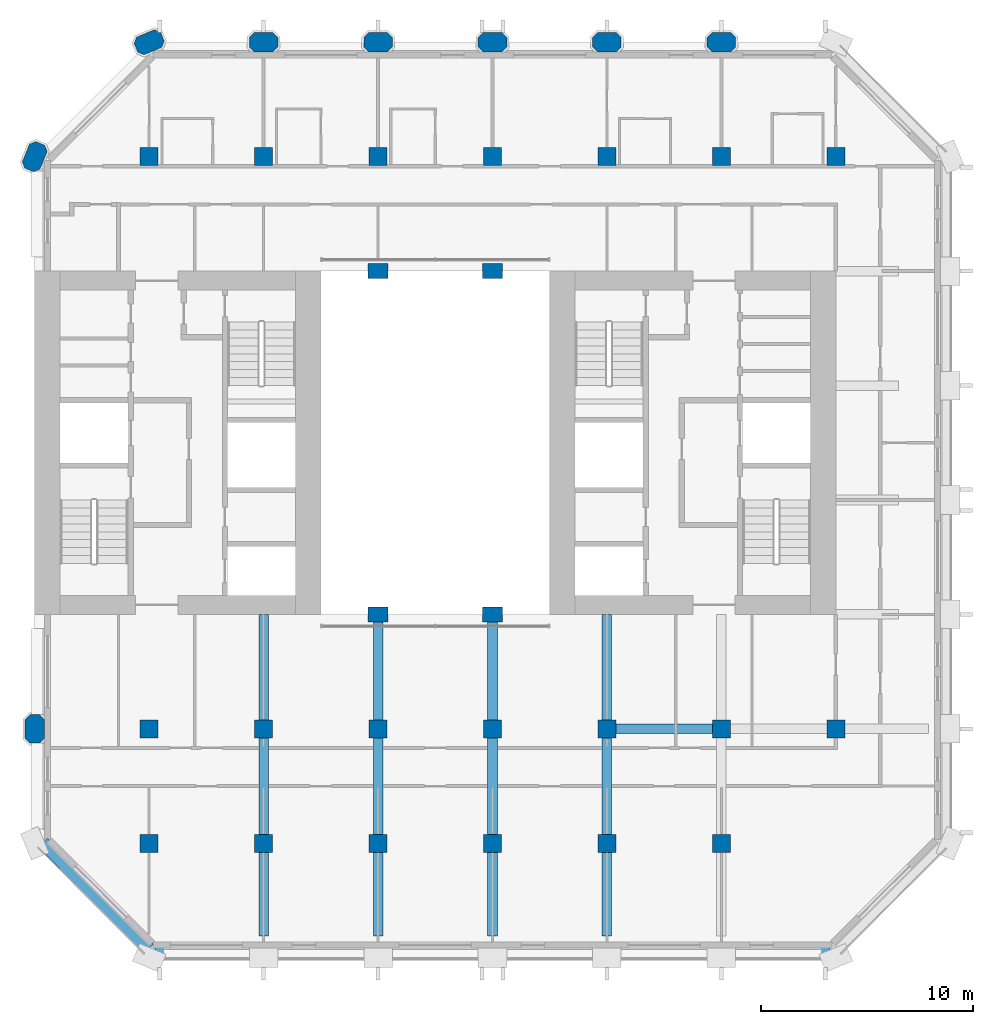
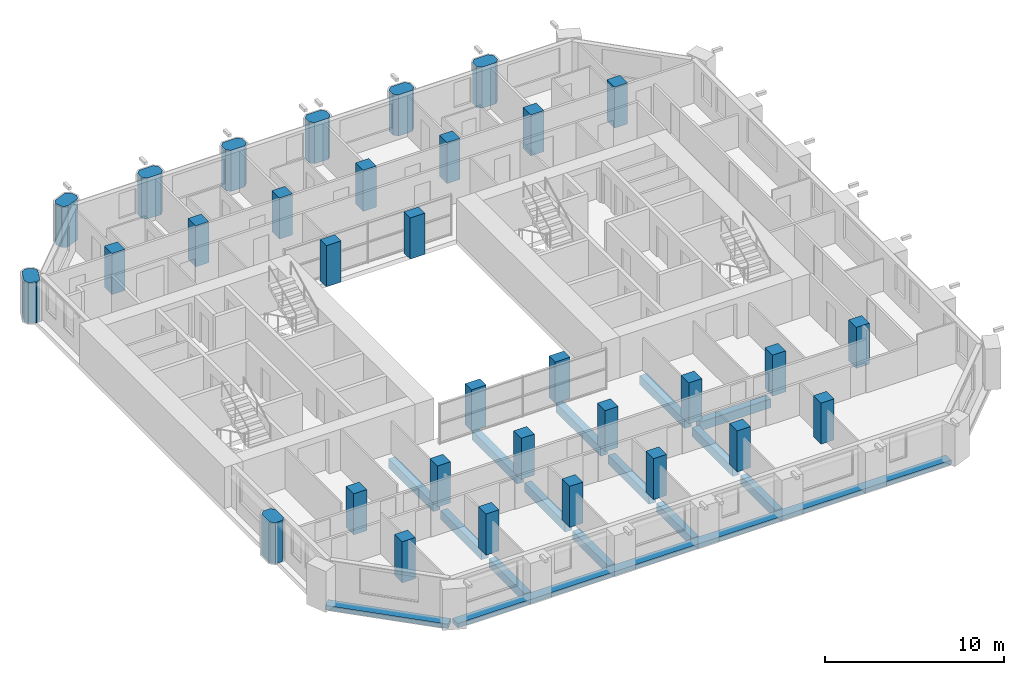
# One storey, part 1 of 12: 32 columns, 15 beams.
"""IFC4 building model written with IfcOpenShell, lengths in metres."""

from ifc_helpers import new_model, si_unit, direction, frame, origin, origin_2d, place, context, subcontext, project, spatial, polyline, rectangle, outline, extrude, material, material_profile, profile_set, type_object, element, save


model = new_model("IFC4")

# Units and contexts
model_context = context("Model", 3, precision=1e-05, world=origin(), true_north=direction((0.0, 1.0)))
body_context = subcontext(model_context, "Body", "Model", "MODEL_VIEW")
ifc_project = project(units=[si_unit("LENGTHUNIT", "METRE"), si_unit("AREAUNIT", "SQUARE_METRE"), si_unit("VOLUMEUNIT", "CUBIC_METRE"), si_unit("PLANEANGLEUNIT", "RADIAN"), si_unit("MASSUNIT", "GRAM", prefix="KILO")], contexts=[model_context])

# Site, building, storey
site_placement = place(None, origin())
site = spatial("IfcSite", under=ifc_project, at=site_placement, CompositionType="ELEMENT")
building_placement = place(site_placement, origin())
building = spatial("IfcBuilding", under=site, at=building_placement, Name="Tabaq Tower and Sports Hall", CompositionType="ELEMENT")
storey_placement = place(building_placement, frame((0.0, 0.0, 172.60009765625)))
storey = spatial("IfcBuildingStorey", under=building, at=storey_placement, Name="L41", CompositionType="ELEMENT", Elevation=172.60009765625)

# Columns
ifc_material_1 = material(Name="Concrete C50/60", Category="concrete")
ifc_material_profile_1 = material_profile(ifc_material_1, rectangle(XDim=0.949951171875, YDim=0.699951171875, at=origin_2d()), Name="ATRIUM COLUMN 950x700")
ifc_profile_set_1 = profile_set([ifc_material_profile_1], Name="Concrete C50/60")
column_type_1 = type_object("IfcColumnType", Name="RC COLUMN ATRIUM COLUMN 950x700 C50/60", PredefinedType="COLUMN", material=ifc_profile_set_1)
for number, where, z_axis, x_axis, name in (
    (1, (21.60009765625, 16.199951171875, 0.0), (0.0, 0.0, 1.0), (1.0, 0.0, 0.0), "Atrium Column 5/D L41"),
    (2, (27.0, 16.199951171875, 0.0), (0.0, 0.0, 1.0), (1.0, 0.0, 0.0), "Atrium Column 6/D L41"),
    (3, (21.60009765625, 32.39990234375, 0.0), (0.0, 0.0, 1.0), (1.0, 0.0, 0.0), "Atrium Column 5/G L41"),
    (4, (27.0, 32.39990234375, 0.0), (0.0, 0.0, 1.0), (1.0, 0.0, 0.0), "Atrium Column 6/G L41"),
):
    element("IfcColumn", number, at=place(storey_placement, frame(where, z_axis=z_axis, x_axis=x_axis)), inside=storey, type_object=column_type_1, Name=name, PredefinedType="COLUMN", context=body_context, shape_type="SweptSolid", body=[
        extrude(rectangle(XDim=0.949951171875, YDim=0.699951171875, at=origin_2d()), origin(), (0.0, 0.0, 1.0), 2.7998046875),
    ])
ifc_material_2 = material(Name="Concrete C50/60", Category="concrete")
ifc_material_profile_2 = material_profile(ifc_material_2, rectangle(XDim=0.85009765625, YDim=0.85009765625, at=origin_2d()), Name="COLUMN 850x850")
ifc_profile_set_2 = profile_set([ifc_material_profile_2], Name="Concrete C50/60")
column_type_2 = type_object("IfcColumnType", Name="RC COLUMN COLUMN 850x850 C50/60", PredefinedType="COLUMN", material=ifc_profile_set_2)
for number, where, z_axis, x_axis, name in (
    (5, (10.800048828125, 5.39990234375, 0.0), (0.0, 0.0, 1.0), (1.0, 0.0, 0.0), "Column 3/B L41"),
    (6, (16.199951171875, 5.39990234375, 0.0), (0.0, 0.0, 1.0), (1.0, 0.0, 0.0), "Column 4/B L41"),
    (7, (21.60009765625, 5.39990234375, 0.0), (0.0, 0.0, 1.0), (1.0, 0.0, 0.0), "Column 5/B L41"),
    (8, (27.0, 5.39990234375, 0.0), (0.0, 0.0, 1.0), (1.0, 0.0, 0.0), "Column 6/B L41"),
    (9, (32.39990234375, 5.39990234375, 0.0), (0.0, 0.0, 1.0), (1.0, 0.0, 0.0), "Column 7/B L41"),
    (10, (37.800048828125, 5.39990234375, 0.0), (0.0, 0.0, 1.0), (1.0, 0.0, 0.0), "Column 8/B L41"),
    (11, (10.800048828125, 10.800048828125, 0.0), (0.0, 0.0, 1.0), (1.0, 0.0, 0.0), "Column 3/C L41"),
    (12, (16.199951171875, 10.800048828125, 0.0), (0.0, 0.0, 1.0), (1.0, 0.0, 0.0), "Column 4/C L41"),
    (13, (21.60009765625, 10.800048828125, 0.0), (0.0, 0.0, 1.0), (1.0, 0.0, 0.0), "Column 5/C L41"),
    (14, (27.0, 10.800048828125, 0.0), (0.0, 0.0, 1.0), (1.0, 0.0, 0.0), "Column 6/C L41"),
    (15, (32.39990234375, 10.800048828125, 0.0), (0.0, 0.0, 1.0), (1.0, 0.0, 0.0), "Column 7/C L41"),
    (16, (37.800048828125, 10.800048828125, 0.0), (0.0, 0.0, 1.0), (1.0, 0.0, 0.0), "Column 8/C L41"),
    (17, (43.199951171875, 10.800048828125, 0.0), (0.0, 0.0, 1.0), (1.0, 0.0, 0.0), "Column 9/C L41"),
    (18, (10.800048828125, 37.800048828125, 0.0), (0.0, 0.0, 1.0), (1.0, 0.0, 0.0), "Column 3/H L41"),
    (19, (16.199951171875, 37.800048828125, 0.0), (0.0, 0.0, 1.0), (1.0, 0.0, 0.0), "Column 4/H L41"),
    (20, (21.60009765625, 37.800048828125, 0.0), (0.0, 0.0, 1.0), (1.0, 0.0, 0.0), "Column 5/H L41"),
    (21, (27.0, 37.800048828125, 0.0), (0.0, 0.0, 1.0), (1.0, 0.0, 0.0), "Column 6/H L41"),
    (22, (32.39990234375, 37.800048828125, 0.0), (0.0, 0.0, 1.0), (1.0, 0.0, 0.0), "Column 7/H L41"),
    (23, (37.800048828125, 37.800048828125, 0.0), (0.0, 0.0, 1.0), (1.0, 0.0, 0.0), "Column 8/H L41"),
    (24, (43.199951171875, 37.800048828125, 0.0), (0.0, 0.0, 1.0), (1.0, 0.0, 0.0), "Column 9/H L41"),
):
    element("IfcColumn", number, at=place(storey_placement, frame(where, z_axis=z_axis, x_axis=x_axis)), inside=storey, type_object=column_type_2, Name=name, PredefinedType="COLUMN", context=body_context, shape_type="SweptSolid", body=[
        extrude(rectangle(XDim=0.85009765625, YDim=0.85009765625, at=origin_2d()), origin(), (0.0, 0.0, 1.0), 2.7998046875),
    ])
ifc_material_3 = material(Name="Concrete C50/60", Category="concrete")
ifc_material_profile_3 = material_profile(ifc_material_3, outline(polyline([(-0.449951171875, -0.449951171875), (0.449951171875, -0.449951171875), (0.675048828125, -0.22509765625), (0.675048828125, 0.22509765625), (0.449951171875, 0.449951171875), (-0.449951171875, 0.449951171875), (-0.675048828125, 0.22509765625), (-0.675048828125, -0.22509765625), (-0.449951171875, -0.449951171875)])), Name="PIER 1350x900")
ifc_profile_set_3 = profile_set([ifc_material_profile_3], Name="Concrete C50/60")
column_type_3 = type_object("IfcColumnType", Name="RC COLUMN PIER 1350x900 C50/60", PredefinedType="COLUMN", material=ifc_profile_set_3)
for number, where, z_axis, x_axis, name in (
    (25, (5.39990234375, 10.800048828125, 0.0), (0.0, 0.0, 1.0), (0.0, 1.0, 0.0), "Pier 2/C L41"),
    (26, (5.39990234375, 37.800048828125, 0.0), (0.0, 0.0, 1.0), (0.382683432365, 0.923879532511, 0.0), "Pier 2/H L41"),
    (27, (10.800048828125, 43.199951171875, 0.0), (0.0, 0.0, 1.0), (0.923879532511, 0.382683432365, 0.0), "Pier 3/I L41"),
    (28, (16.199951171875, 43.199951171875, 0.0), (0.0, 0.0, 1.0), (1.0, 0.0, 0.0), "Pier 4/I L41"),
    (29, (21.60009765625, 43.199951171875, 0.0), (0.0, 0.0, 1.0), (1.0, 0.0, 0.0), "Pier 5/I L41"),
    (30, (27.0, 43.199951171875, 0.0), (0.0, 0.0, 1.0), (1.0, 0.0, 0.0), "Pier 6/I L41"),
    (31, (32.39990234375, 43.199951171875, 0.0), (0.0, 0.0, 1.0), (1.0, 0.0, 0.0), "Pier 7/I L41"),
    (32, (37.800048828125, 43.199951171875, 0.0), (0.0, 0.0, 1.0), (1.0, 0.0, 0.0), "Pier 8/I L41"),
):
    element("IfcColumn", number, at=place(storey_placement, frame(where, z_axis=z_axis, x_axis=x_axis)), inside=storey, type_object=column_type_3, Name=name, PredefinedType="COLUMN", context=body_context, shape_type="SweptSolid", body=[
        extrude(outline(polyline([(-0.449951171875, -0.449951171875), (0.449951171875, -0.449951171875), (0.675048828125, -0.22509765625), (0.675048828125, 0.22509765625), (0.449951171875, 0.449951171875), (-0.449951171875, 0.449951171875), (-0.675048828125, 0.22509765625), (-0.675048828125, -0.22509765625), (-0.449951171875, -0.449951171875)])), origin(), (0.0, 0.0, 1.0), 2.7998046875),
    ])

# Beams
ifc_material_4 = material(Name="Concrete C40/50", Category="concrete")
ifc_material_profile_4 = material_profile(ifc_material_4, rectangle(XDim=0.449951171875, YDim=0.60009765625, at=origin_2d()), Name="CB 450x600")
ifc_profile_set_4 = profile_set([ifc_material_profile_4], Name="Concrete C40/50")
beam_type_1 = type_object("IfcBeamType", Name="PT CANTILEVER BEAM CB 450x600 C40/50", PredefinedType="BEAM", material=ifc_profile_set_4)
beam_1_placement = place(storey_placement, frame((37.375, 10.800048828125, -0.60009765625), z_axis=(-1.0, 0.0, 0.0), x_axis=(0.0, -1.0, 0.0)))
element("IfcBeam", 33, at=beam_1_placement, inside=storey, type_object=beam_type_1, Name="Cantilever Beam L41 E2 span 3", PredefinedType="BEAM", context=body_context, shape_type="SweptSolid", body=[
    extrude(rectangle(XDim=0.449951171875, YDim=0.60009765625, at=origin_2d()), origin(), (0.0, 0.0, 1.0), 4.550048828125),
])
beam_2_placement = place(storey_placement, frame((16.199951171875, 1.02490234375, -0.60009765625), z_axis=(0.0, 1.0, 0.0), x_axis=(-1.0, 0.0, 0.0)))
element("IfcBeam", 34, at=beam_2_placement, inside=storey, type_object=beam_type_1, Name="Cantilever Beam L41 S3 span 1", PredefinedType="BEAM", context=body_context, shape_type="SweptSolid", body=[
    extrude(rectangle(XDim=0.449951171875, YDim=0.60009765625, at=origin_2d()), origin(), (0.0, 0.0, 1.0), 3.9501953125),
])
beam_3_placement = place(storey_placement, frame((16.199951171875, 5.824951171875, -0.60009765625), z_axis=(0.0, 1.0, 0.0), x_axis=(-1.0, 0.0, 0.0)))
element("IfcBeam", 35, at=beam_3_placement, inside=storey, type_object=beam_type_1, Name="Cantilever Beam L41 S3 span 2", PredefinedType="BEAM", context=body_context, shape_type="SweptSolid", body=[
    extrude(rectangle(XDim=0.449951171875, YDim=0.60009765625, at=origin_2d()), origin(), (0.0, 0.0, 1.0), 4.550048828125),
])
beam_4_placement = place(storey_placement, frame((16.199951171875, 11.22509765625, -0.60009765625), z_axis=(0.0, 1.0, 0.0), x_axis=(-1.0, 0.0, 0.0)))
element("IfcBeam", 36, at=beam_4_placement, inside=storey, type_object=beam_type_1, Name="Cantilever Beam L41 S3 span 3", PredefinedType="BEAM", context=body_context, shape_type="SweptSolid", body=[
    extrude(rectangle(XDim=0.449951171875, YDim=0.60009765625, at=origin_2d()), origin(), (0.0, 0.0, 1.0), 4.974853515625),
])
beam_5_placement = place(storey_placement, frame((21.60009765625, 1.02490234375, -0.60009765625), z_axis=(0.0, 1.0, 0.0), x_axis=(-1.0, 0.0, 0.0)))
element("IfcBeam", 37, at=beam_5_placement, inside=storey, type_object=beam_type_1, Name="Cantilever Beam L41 S4 span 1", PredefinedType="BEAM", context=body_context, shape_type="SweptSolid", body=[
    extrude(rectangle(XDim=0.449951171875, YDim=0.60009765625, at=origin_2d()), origin(), (0.0, 0.0, 1.0), 3.9501953125),
])
beam_6_placement = place(storey_placement, frame((21.60009765625, 5.824951171875, -0.60009765625), z_axis=(0.0, 1.0, 0.0), x_axis=(-1.0, 0.0, 0.0)))
element("IfcBeam", 38, at=beam_6_placement, inside=storey, type_object=beam_type_1, Name="Cantilever Beam L41 S4 span 2", PredefinedType="BEAM", context=body_context, shape_type="SweptSolid", body=[
    extrude(rectangle(XDim=0.449951171875, YDim=0.60009765625, at=origin_2d()), origin(), (0.0, 0.0, 1.0), 4.550048828125),
])
beam_7_placement = place(storey_placement, frame((21.60009765625, 11.22509765625, -0.60009765625), z_axis=(0.0, 1.0, 0.0), x_axis=(-1.0, 0.0, 0.0)))
element("IfcBeam", 39, at=beam_7_placement, inside=storey, type_object=beam_type_1, Name="Cantilever Beam L41 S4 span 3", PredefinedType="BEAM", context=body_context, shape_type="SweptSolid", body=[
    extrude(rectangle(XDim=0.449951171875, YDim=0.60009765625, at=origin_2d()), origin(), (0.0, 0.0, 1.0), 4.974853515625),
])
beam_8_placement = place(storey_placement, frame((27.0, 1.02490234375, -0.60009765625), z_axis=(0.0, 1.0, 0.0), x_axis=(-1.0, 0.0, 0.0)))
element("IfcBeam", 40, at=beam_8_placement, inside=storey, type_object=beam_type_1, Name="Cantilever Beam L41 S5 span 1", PredefinedType="BEAM", context=body_context, shape_type="SweptSolid", body=[
    extrude(rectangle(XDim=0.449951171875, YDim=0.60009765625, at=origin_2d()), origin(), (0.0, 0.0, 1.0), 3.9501953125),
])
beam_9_placement = place(storey_placement, frame((27.0, 5.824951171875, -0.60009765625), z_axis=(0.0, 1.0, 0.0), x_axis=(-1.0, 0.0, 0.0)))
element("IfcBeam", 41, at=beam_9_placement, inside=storey, type_object=beam_type_1, Name="Cantilever Beam L41 S5 span 2", PredefinedType="BEAM", context=body_context, shape_type="SweptSolid", body=[
    extrude(rectangle(XDim=0.449951171875, YDim=0.60009765625, at=origin_2d()), origin(), (0.0, 0.0, 1.0), 4.550048828125),
])
beam_10_placement = place(storey_placement, frame((27.0, 11.22509765625, -0.60009765625), z_axis=(0.0, 1.0, 0.0), x_axis=(-1.0, 0.0, 0.0)))
element("IfcBeam", 42, at=beam_10_placement, inside=storey, type_object=beam_type_1, Name="Cantilever Beam L41 S5 span 3", PredefinedType="BEAM", context=body_context, shape_type="SweptSolid", body=[
    extrude(rectangle(XDim=0.449951171875, YDim=0.60009765625, at=origin_2d()), origin(), (0.0, 0.0, 1.0), 4.974853515625),
])
beam_11_placement = place(storey_placement, frame((32.39990234375, 1.02490234375, -0.60009765625), z_axis=(0.0, 1.0, 0.0), x_axis=(-1.0, 0.0, 0.0)))
element("IfcBeam", 43, at=beam_11_placement, inside=storey, type_object=beam_type_1, Name="Cantilever Beam L41 S6 span 1", PredefinedType="BEAM", context=body_context, shape_type="SweptSolid", body=[
    extrude(rectangle(XDim=0.449951171875, YDim=0.60009765625, at=origin_2d()), origin(), (0.0, 0.0, 1.0), 3.9501953125),
])
beam_12_placement = place(storey_placement, frame((32.39990234375, 5.824951171875, -0.60009765625), z_axis=(0.0, 1.0, 0.0), x_axis=(-1.0, 0.0, 0.0)))
element("IfcBeam", 44, at=beam_12_placement, inside=storey, type_object=beam_type_1, Name="Cantilever Beam L41 S6 span 2", PredefinedType="BEAM", context=body_context, shape_type="SweptSolid", body=[
    extrude(rectangle(XDim=0.449951171875, YDim=0.60009765625, at=origin_2d()), origin(), (0.0, 0.0, 1.0), 4.550048828125),
])
beam_13_placement = place(storey_placement, frame((32.39990234375, 11.22509765625, -0.60009765625), z_axis=(0.0, 1.0, 0.0), x_axis=(-1.0, 0.0, 0.0)))
element("IfcBeam", 45, at=beam_13_placement, inside=storey, type_object=beam_type_1, Name="Cantilever Beam L41 S6 span 3", PredefinedType="BEAM", context=body_context, shape_type="SweptSolid", body=[
    extrude(rectangle(XDim=0.449951171875, YDim=0.60009765625, at=origin_2d()), origin(), (0.0, 0.0, 1.0), 4.974853515625),
])
ifc_material_5 = material(Name="Concrete C40/50", Category="concrete")
ifc_material_profile_5 = material_profile(ifc_material_5, rectangle(XDim=0.60009765625, YDim=0.300048828125, at=origin_2d()), Name="EB 600x300")
ifc_profile_set_5 = profile_set([ifc_material_profile_5], Name="Concrete C40/50")
beam_type_2 = type_object("IfcBeamType", Name="PT EDGE BEAM EB 600x300 C40/50", PredefinedType="SPANDREL", material=ifc_profile_set_5)
beam_14_placement = place(storey_placement, frame((11.0986328125, 0.300048828125, -0.150146484375), z_axis=(1.0, 0.0, 0.0), x_axis=(0.0, 1.0, 0.0)))
element("IfcBeam", 46, at=beam_14_placement, inside=storey, type_object=beam_type_2, Name="Edge Beam L41 1", PredefinedType="SPANDREL", context=body_context, shape_type="SweptSolid", body=[
    extrude(rectangle(XDim=0.60009765625, YDim=0.300048828125, at=origin_2d()), origin(), (0.0, 0.0, 1.0), 31.802734375),
])
beam_15_placement = place(storey_placement, frame((5.788818359375, 5.435302734375, -0.150146484375), z_axis=(0.707124002701, -0.707089559252, 0.0), x_axis=(0.707089559252, 0.707124002701, 0.0)))
element("IfcBeam", 47, at=beam_15_placement, inside=storey, type_object=beam_type_2, Name="Edge Beam L41 5", PredefinedType="SPANDREL", context=body_context, shape_type="SweptSolid", body=[
    extrude(rectangle(XDim=0.60009765625, YDim=0.300048828125, at=origin_2d()), origin(), (0.0, 0.0, 1.0), 7.088134765625),
])

save(model, "model.ifc")
